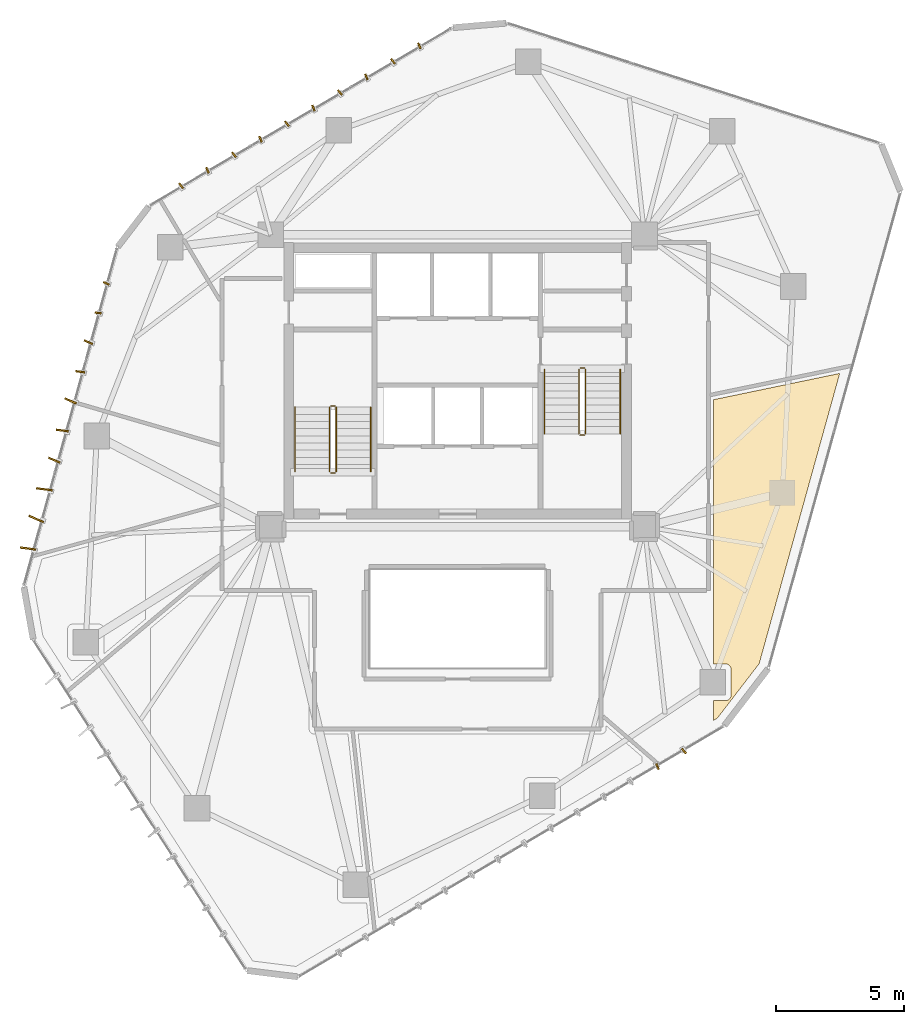
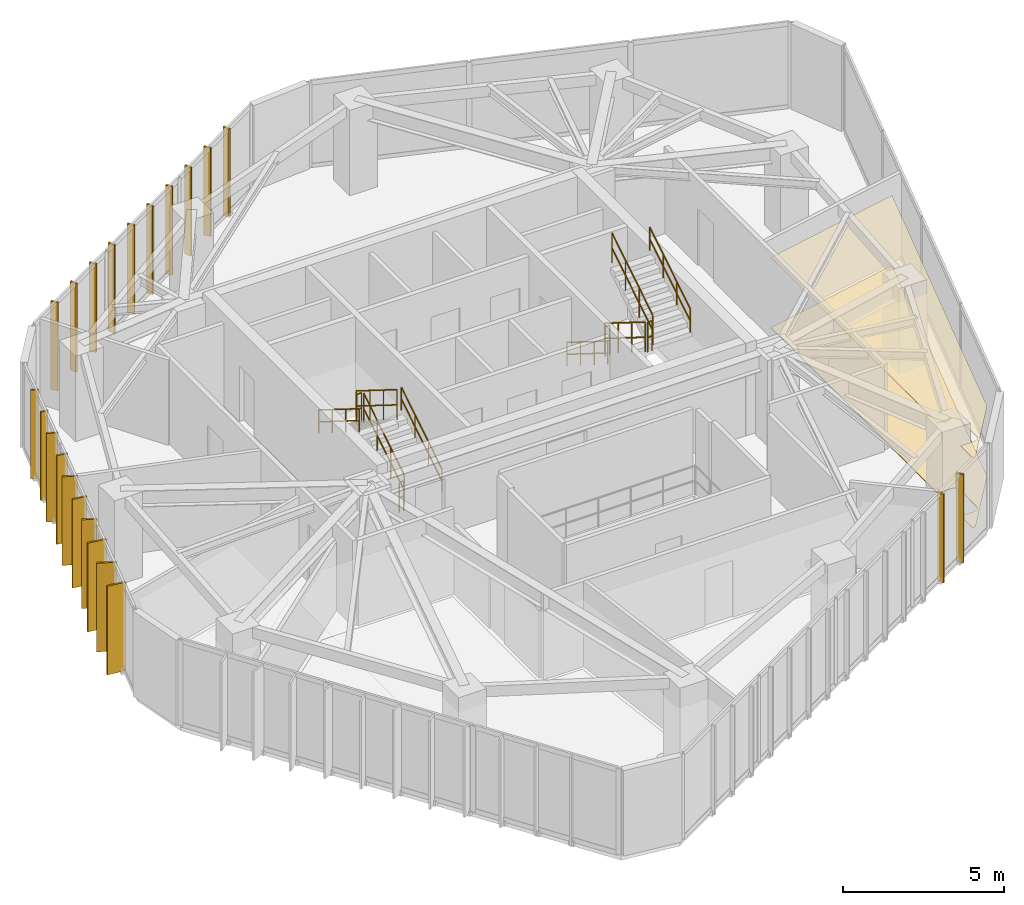
# One storey, part 19 of 19: 22 shading devices, 12 railings, 2 coverings.
"""IFC4 building model written with IfcOpenShell, lengths in metres."""

from ifc_helpers import new_model, si_unit, direction, frame, origin, origin_2d, place, context, subcontext, project, spatial, polyline, rectangle, circle, outline, extrude, source, transform, mapped, material, layer, layer_set, type_object, type_shapes, element, save


model = new_model("IFC4")

# Units and contexts
model_context = context("Model", 3, precision=1e-05, world=origin(), true_north=direction((0.0, 1.0)))
body_context = subcontext(model_context, "Body", "Model", "MODEL_VIEW")
ifc_project = project(units=[si_unit("LENGTHUNIT", "METRE"), si_unit("AREAUNIT", "SQUARE_METRE"), si_unit("VOLUMEUNIT", "CUBIC_METRE"), si_unit("PLANEANGLEUNIT", "RADIAN"), si_unit("MASSUNIT", "GRAM", prefix="KILO")], contexts=[model_context])

# Site, building, storey
site_placement = place(None, origin())
site = spatial("IfcSite", under=ifc_project, at=site_placement, CompositionType="ELEMENT")
building_placement = place(site_placement, origin())
building = spatial("IfcBuilding", under=site, at=building_placement, Name="Talar Marvaseh", CompositionType="ELEMENT")
storey_placement = place(building_placement, frame((0.0, 0.0, 181.0)))
storey = spatial("IfcBuildingStorey", under=building, at=storey_placement, Name="L47", CompositionType="ELEMENT", Elevation=181.0)

# Railings
ifc_material_1 = material(Name="Stainless Steel Grade 316", Category="steel")
railing_type_1 = type_object("IfcRailingType", Name="Brushed Stainless Wall Pitch Handrail 900", PredefinedType="HANDRAIL", material=ifc_material_1)
railing_1_placement = place(storey_placement, frame((22.610107421875, 27.64990234375, 0.175048828125)))
element("IfcRailing", 1, at=railing_1_placement, inside=storey, type_object=railing_type_1, Name="L47 ST-1 stair handrail 1", PredefinedType="HANDRAIL", context=body_context, shape_type="SweptSolid", body=[
    extrude(circle(Radius=0.02392578125, at=origin_2d()), frame((0.0, 0.0, 0.8759765625), z_axis=(0.0, 0.848007534815, 0.529984170421), x_axis=(-1.0, 0.0, 0.0)), (0.0, 0.0, 1.0), 2.9716796875),
    extrude(circle(Radius=0.02392578125, at=origin_2d()), frame((0.0, 0.0, 0.42578125), z_axis=(0.0, 0.848007534815, 0.529984170421), x_axis=(-1.0, 0.0, 0.0)), (0.0, 0.0, 1.0), 2.9716796875),
    extrude(circle(Radius=0.02099609375, at=origin_2d()), origin(), (0.0, 0.0, 1.0), 0.851806640625),
    extrude(circle(Radius=0.02099609375, at=origin_2d()), frame((0.0, 0.840087890625, 0.52490234375)), (0.0, 0.0, 1.0), 0.851806640625),
    extrude(circle(Radius=0.02099609375, at=origin_2d()), frame((0.0, 1.679931640625, 1.050048828125)), (0.0, 0.0, 1.0), 0.851806640625),
    extrude(circle(Radius=0.02099609375, at=origin_2d()), frame((0.0, 2.52001953125, 1.574951171875)), (0.0, 0.0, 1.0), 0.851806640625),
])
for number, where, name in (
    (2, (19.64990234375, 30.169921875, 1.925048828125), "L47 ST-1 stair handrail 2"),
    (3, (29.389892578125, 31.64990234375, 0.175048828125), "L47 ST-2 stair handrail 1"),
):
    element("IfcRailing", number, at=place(storey_placement, frame(where)), inside=storey, type_object=railing_type_1, Name=name, PredefinedType="HANDRAIL", context=body_context, shape_type="SweptSolid", body=[
        extrude(circle(Radius=0.02392578125, at=origin_2d()), frame((0.0, 0.0, 0.8759765625), z_axis=(0.0, -0.848007534815, 0.529984170421), x_axis=(1.0, 0.0, 0.0)), (0.0, 0.0, 1.0), 2.9716796875),
        extrude(circle(Radius=0.02392578125, at=origin_2d()), frame((0.0, 0.0, 0.42578125), z_axis=(0.0, -0.848007534815, 0.529984170421), x_axis=(1.0, 0.0, 0.0)), (0.0, 0.0, 1.0), 2.9716796875),
        extrude(circle(Radius=0.02099609375, at=origin_2d()), origin(), (0.0, 0.0, 1.0), 0.851806640625),
        extrude(circle(Radius=0.02099609375, at=origin_2d()), frame((0.0, -0.840087890625, 0.52490234375)), (0.0, 0.0, 1.0), 0.851806640625),
        extrude(circle(Radius=0.02099609375, at=origin_2d()), frame((0.0, -1.679931640625, 1.050048828125)), (0.0, 0.0, 1.0), 0.851806640625),
        extrude(circle(Radius=0.02099609375, at=origin_2d()), frame((0.0, -2.52001953125, 1.574951171875)), (0.0, 0.0, 1.0), 0.851806640625),
    ])
railing_2_placement = place(storey_placement, frame((32.35009765625, 29.1298828125, 1.925048828125)))
element("IfcRailing", 4, at=railing_2_placement, inside=storey, type_object=railing_type_1, Name="L47 ST-2 stair handrail 2", PredefinedType="HANDRAIL", context=body_context, shape_type="SweptSolid", body=[
    extrude(circle(Radius=0.02392578125, at=origin_2d()), frame((0.0, 0.0, 0.8759765625), z_axis=(0.0, 0.848007534815, 0.529984170421), x_axis=(-1.0, 0.0, 0.0)), (0.0, 0.0, 1.0), 2.9716796875),
    extrude(circle(Radius=0.02392578125, at=origin_2d()), frame((0.0, 0.0, 0.42578125), z_axis=(0.0, 0.848007534815, 0.529984170421), x_axis=(-1.0, 0.0, 0.0)), (0.0, 0.0, 1.0), 2.9716796875),
    extrude(circle(Radius=0.02099609375, at=origin_2d()), origin(), (0.0, 0.0, 1.0), 0.851806640625),
    extrude(circle(Radius=0.02099609375, at=origin_2d()), frame((0.0, 0.840087890625, 0.52490234375)), (0.0, 0.0, 1.0), 0.851806640625),
    extrude(circle(Radius=0.02099609375, at=origin_2d()), frame((0.0, 1.679931640625, 1.050048828125)), (0.0, 0.0, 1.0), 0.851806640625),
    extrude(circle(Radius=0.02099609375, at=origin_2d()), frame((0.0, 2.52001953125, 1.574951171875)), (0.0, 0.0, 1.0), 0.851806640625),
])
railing_type_2 = type_object("IfcRailingType", Name="Painted Steel Core Stair Well Guardrail 1150", PredefinedType="GUARDRAIL", material=ifc_material_1)
railing_3_placement = place(storey_placement, frame((21.260009765625, 27.64990234375, 0.175048828125)))
element("IfcRailing", 5, at=railing_3_placement, inside=storey, type_object=railing_type_2, Name="L47 ST-1 stair guard 1", PredefinedType="GUARDRAIL", context=body_context, shape_type="SweptSolid", body=[
    extrude(circle(Radius=0.02392578125, at=origin_2d()), frame((0.0, 0.0, 1.1259765625), z_axis=(0.0, 0.848007534815, 0.529984170421), x_axis=(-1.0, 0.0, 0.0)), (0.0, 0.0, 1.0), 2.9716796875),
    extrude(circle(Radius=0.02392578125, at=origin_2d()), frame((0.0, 0.0, 0.55078125), z_axis=(0.0, 0.848007534815, 0.529984170421), x_axis=(-1.0, 0.0, 0.0)), (0.0, 0.0, 1.0), 2.9716796875),
    extrude(circle(Radius=0.02099609375, at=origin_2d()), origin(), (0.0, 0.0, 1.0), 1.101806640625),
    extrude(circle(Radius=0.02099609375, at=origin_2d()), frame((0.0, 0.840087890625, 0.52490234375)), (0.0, 0.0, 1.0), 1.101806640625),
    extrude(circle(Radius=0.02099609375, at=origin_2d()), frame((0.0, 1.679931640625, 1.050048828125)), (0.0, 0.0, 1.0), 1.101806640625),
    extrude(circle(Radius=0.02099609375, at=origin_2d()), frame((0.0, 2.52001953125, 1.574951171875)), (0.0, 0.0, 1.0), 1.101806640625),
])
railing_4_placement = place(storey_placement, frame((21.2099609375, 30.219970703125, 1.75)))
element("IfcRailing", 6, at=railing_4_placement, inside=storey, type_object=railing_type_2, Name="L47 ST-1 stair guard 2", PredefinedType="GUARDRAIL", context=body_context, shape_type="SweptSolid", body=[
    extrude(circle(Radius=0.02392578125, at=origin_2d()), frame((0.0, 0.0, 1.1259765625), z_axis=(-1.0, 0.0, 0.0), x_axis=(0.0, -1.0, 0.0)), (0.0, 0.0, 1.0), 0.159912109375),
    extrude(circle(Radius=0.02392578125, at=origin_2d()), frame((0.0, 0.0, 0.55078125), z_axis=(-1.0, 0.0, 0.0), x_axis=(0.0, -1.0, 0.0)), (0.0, 0.0, 1.0), 0.159912109375),
    extrude(circle(Radius=0.02099609375, at=origin_2d()), origin(), (0.0, 0.0, 1.0), 1.101806640625),
    extrude(circle(Radius=0.02099609375, at=origin_2d()), frame((-0.159912109375, 0.0, 0.0)), (0.0, 0.0, 1.0), 1.101806640625),
])
railing_5_placement = place(storey_placement, frame((21.0, 30.169921875, 1.925048828125)))
element("IfcRailing", 7, at=railing_5_placement, inside=storey, type_object=railing_type_2, Name="L47 ST-1 stair guard 3", PredefinedType="GUARDRAIL", context=body_context, shape_type="SweptSolid", body=[
    extrude(circle(Radius=0.02392578125, at=origin_2d()), frame((0.0, 0.0, 1.1259765625), z_axis=(0.0, -0.848007534815, 0.529984170421), x_axis=(1.0, 0.0, 0.0)), (0.0, 0.0, 1.0), 2.9716796875),
    extrude(circle(Radius=0.02392578125, at=origin_2d()), frame((0.0, 0.0, 0.55078125), z_axis=(0.0, -0.848007534815, 0.529984170421), x_axis=(1.0, 0.0, 0.0)), (0.0, 0.0, 1.0), 2.9716796875),
    extrude(circle(Radius=0.02099609375, at=origin_2d()), origin(), (0.0, 0.0, 1.0), 1.101806640625),
    extrude(circle(Radius=0.02099609375, at=origin_2d()), frame((0.0, -0.840087890625, 0.52490234375)), (0.0, 0.0, 1.0), 1.101806640625),
    extrude(circle(Radius=0.02099609375, at=origin_2d()), frame((0.0, -1.679931640625, 1.050048828125)), (0.0, 0.0, 1.0), 1.101806640625),
    extrude(circle(Radius=0.02099609375, at=origin_2d()), frame((0.0, -2.52001953125, 1.574951171875)), (0.0, 0.0, 1.0), 1.101806640625),
])
railing_6_placement = place(storey_placement, frame((21.2099609375, 27.60009765625, 0.0)))
element("IfcRailing", 8, at=railing_6_placement, inside=storey, type_object=railing_type_2, Name="L47 ST-1 stair guard 4", PredefinedType="GUARDRAIL", context=body_context, shape_type="SweptSolid", body=[
    extrude(circle(Radius=0.02392578125, at=origin_2d()), frame((0.0, 0.0, 1.1259765625), z_axis=(-1.0, 0.0, 0.0), x_axis=(0.0, -1.0, 0.0)), (0.0, 0.0, 1.0), 0.159912109375),
    extrude(circle(Radius=0.02392578125, at=origin_2d()), frame((0.0, 0.0, 0.55078125), z_axis=(-1.0, 0.0, 0.0), x_axis=(0.0, -1.0, 0.0)), (0.0, 0.0, 1.0), 0.159912109375),
    extrude(circle(Radius=0.02099609375, at=origin_2d()), origin(), (0.0, 0.0, 1.0), 1.101806640625),
    extrude(circle(Radius=0.02099609375, at=origin_2d()), frame((-0.159912109375, 0.0, 0.0)), (0.0, 0.0, 1.0), 1.101806640625),
])
railing_7_placement = place(storey_placement, frame((30.739990234375, 31.64990234375, 0.175048828125)))
element("IfcRailing", 9, at=railing_7_placement, inside=storey, type_object=railing_type_2, Name="L47 ST-2 stair guard 1", PredefinedType="GUARDRAIL", context=body_context, shape_type="SweptSolid", body=[
    extrude(circle(Radius=0.02392578125, at=origin_2d()), frame((0.0, 0.0, 1.1259765625), z_axis=(0.0, -0.848007534815, 0.529984170421), x_axis=(1.0, 0.0, 0.0)), (0.0, 0.0, 1.0), 2.9716796875),
    extrude(circle(Radius=0.02392578125, at=origin_2d()), frame((0.0, 0.0, 0.55078125), z_axis=(0.0, -0.848007534815, 0.529984170421), x_axis=(1.0, 0.0, 0.0)), (0.0, 0.0, 1.0), 2.9716796875),
    extrude(circle(Radius=0.02099609375, at=origin_2d()), origin(), (0.0, 0.0, 1.0), 1.101806640625),
    extrude(circle(Radius=0.02099609375, at=origin_2d()), frame((0.0, -0.840087890625, 0.52490234375)), (0.0, 0.0, 1.0), 1.101806640625),
    extrude(circle(Radius=0.02099609375, at=origin_2d()), frame((0.0, -1.679931640625, 1.050048828125)), (0.0, 0.0, 1.0), 1.101806640625),
    extrude(circle(Radius=0.02099609375, at=origin_2d()), frame((0.0, -2.52001953125, 1.574951171875)), (0.0, 0.0, 1.0), 1.101806640625),
])
railing_8_placement = place(storey_placement, frame((30.7900390625, 29.080078125, 1.75)))
element("IfcRailing", 10, at=railing_8_placement, inside=storey, type_object=railing_type_2, Name="L47 ST-2 stair guard 2", PredefinedType="GUARDRAIL", context=body_context, shape_type="SweptSolid", body=[
    extrude(circle(Radius=0.02392578125, at=origin_2d()), frame((0.0, 0.0, 1.1259765625), z_axis=(1.0, 0.0, 0.0), x_axis=(0.0, 1.0, 0.0)), (0.0, 0.0, 1.0), 0.159912109375),
    extrude(circle(Radius=0.02392578125, at=origin_2d()), frame((0.0, 0.0, 0.55078125), z_axis=(1.0, 0.0, 0.0), x_axis=(0.0, 1.0, 0.0)), (0.0, 0.0, 1.0), 0.159912109375),
    extrude(circle(Radius=0.02099609375, at=origin_2d()), origin(), (0.0, 0.0, 1.0), 1.101806640625),
    extrude(circle(Radius=0.02099609375, at=origin_2d()), frame((0.159912109375, 0.0, 0.0)), (0.0, 0.0, 1.0), 1.101806640625),
])
railing_9_placement = place(storey_placement, frame((31.0, 29.1298828125, 1.925048828125)))
element("IfcRailing", 11, at=railing_9_placement, inside=storey, type_object=railing_type_2, Name="L47 ST-2 stair guard 3", PredefinedType="GUARDRAIL", context=body_context, shape_type="SweptSolid", body=[
    extrude(circle(Radius=0.02392578125, at=origin_2d()), frame((0.0, 0.0, 1.1259765625), z_axis=(0.0, 0.848007534815, 0.529984170421), x_axis=(-1.0, 0.0, 0.0)), (0.0, 0.0, 1.0), 2.9716796875),
    extrude(circle(Radius=0.02392578125, at=origin_2d()), frame((0.0, 0.0, 0.55078125), z_axis=(0.0, 0.848007534815, 0.529984170421), x_axis=(-1.0, 0.0, 0.0)), (0.0, 0.0, 1.0), 2.9716796875),
    extrude(circle(Radius=0.02099609375, at=origin_2d()), origin(), (0.0, 0.0, 1.0), 1.101806640625),
    extrude(circle(Radius=0.02099609375, at=origin_2d()), frame((0.0, 0.840087890625, 0.52490234375)), (0.0, 0.0, 1.0), 1.101806640625),
    extrude(circle(Radius=0.02099609375, at=origin_2d()), frame((0.0, 1.679931640625, 1.050048828125)), (0.0, 0.0, 1.0), 1.101806640625),
    extrude(circle(Radius=0.02099609375, at=origin_2d()), frame((0.0, 2.52001953125, 1.574951171875)), (0.0, 0.0, 1.0), 1.101806640625),
])
railing_10_placement = place(storey_placement, frame((30.7900390625, 31.699951171875, 0.0)))
element("IfcRailing", 12, at=railing_10_placement, inside=storey, type_object=railing_type_2, Name="L47 ST-2 stair guard 4", PredefinedType="GUARDRAIL", context=body_context, shape_type="SweptSolid", body=[
    extrude(circle(Radius=0.02392578125, at=origin_2d()), frame((0.0, 0.0, 1.1259765625), z_axis=(1.0, 0.0, 0.0), x_axis=(0.0, 1.0, 0.0)), (0.0, 0.0, 1.0), 0.159912109375),
    extrude(circle(Radius=0.02392578125, at=origin_2d()), frame((0.0, 0.0, 0.55078125), z_axis=(1.0, 0.0, 0.0), x_axis=(0.0, 1.0, 0.0)), (0.0, 0.0, 1.0), 0.159912109375),
    extrude(circle(Radius=0.02099609375, at=origin_2d()), origin(), (0.0, 0.0, 1.0), 1.101806640625),
    extrude(circle(Radius=0.02099609375, at=origin_2d()), frame((0.159912109375, 0.0, 0.0)), (0.0, 0.0, 1.0), 1.101806640625),
])

# Coverings
ifc_material_2 = material(Name="Mineral Fibre Acoustic Ceiling")
ifc_layer_1 = layer(ifc_material_2, 0.02490234375)
ifc_layer_set_1 = layer_set([ifc_layer_1], Name="Mineral Fibre Acoustic Ceiling")
covering_type_1 = type_object("IfcCoveringType", Name="Perforated Mineral Fibre Acoustic Suspended Ceiling", PredefinedType="CEILING", material=ifc_layer_set_1)
covering_1_placement = place(storey_placement, frame((0.0, 0.0, 2.64990234375)))
element("IfcCovering", 13, at=covering_1_placement, inside=storey, type_object=covering_type_1, Name="L47 Collection Conservation Store Acoustic Ceiling", PredefinedType="CEILING", context=body_context, shape_type="SweptSolid", body=[
    extrude(outline(polyline([(36.0, 18.71240234375), (36.481689453125, 18.71240234375), (36.501220703125, 18.71337890625), (36.5205078125, 18.71630859375), (36.53955078125, 18.720947265625), (36.557861328125, 18.7275390625), (36.57568359375, 18.73583984375), (36.59228515625, 18.745849609375), (36.608154296875, 18.757568359375), (36.622802734375, 18.770751953125), (36.635986328125, 18.78515625), (36.647705078125, 18.80078125), (36.65771484375, 18.817626953125), (36.666015625, 18.835205078125), (36.6728515625, 18.853759765625), (36.677490234375, 18.872802734375), (36.6806640625, 18.89208984375), (36.681640625, 18.91162109375), (36.685791015625, 19.923583984375), (36.68505859375, 19.9423828125), (36.6826171875, 19.960693359375), (36.678466796875, 19.97900390625), (36.672607421875, 19.99658203125), (36.664794921875, 20.013671875), (36.656005859375, 20.02978515625), (36.645263671875, 20.04541015625), (36.63330078125, 20.0595703125), (36.6201171875, 20.07275390625), (36.605224609375, 20.086181640625), (36.591064453125, 20.097900390625), (36.57568359375, 20.1083984375), (36.5595703125, 20.1171875), (36.54248046875, 20.124755859375), (36.52490234375, 20.130615234375), (36.507080078125, 20.134765625), (36.488525390625, 20.13720703125), (36.47021484375, 20.137939453125), (36.0, 20.135986328125), (36.0, 23.0), (36.0, 30.462646484375), (40.927490234375, 31.489501953125), (37.78125, 20.15087890625), (36.147705078125, 18.0224609375), (36.0, 17.935302734375), (36.0, 18.71240234375)])), origin(), (0.0, 0.0, 1.0), 0.025146484375),
])
ifc_material_3 = material(Name="Porcelain Stoneware Tile", Category="masonry")
ifc_layer_2 = layer(ifc_material_3, 0.02001953125)
ifc_layer_set_2 = layer_set([ifc_layer_2], Name="Porcelain Stoneware Tile")
covering_type_2 = type_object("IfcCoveringType", Name="Polished Porcelain Stoneware Gallery Flooring", PredefinedType="FLOORING", material=ifc_layer_set_2)
covering_2_placement = place(storey_placement, origin())
element("IfcCovering", 14, at=covering_2_placement, inside=storey, type_object=covering_type_2, Name="L47 Collection Conservation Store Flooring", PredefinedType="FLOORING", context=body_context, shape_type="SweptSolid", body=[
    extrude(outline(polyline([(36.0, 18.71240234375), (36.481689453125, 18.71240234375), (36.501220703125, 18.71337890625), (36.5205078125, 18.71630859375), (36.53955078125, 18.720947265625), (36.557861328125, 18.7275390625), (36.57568359375, 18.73583984375), (36.59228515625, 18.745849609375), (36.608154296875, 18.757568359375), (36.622802734375, 18.770751953125), (36.635986328125, 18.78515625), (36.647705078125, 18.80078125), (36.65771484375, 18.817626953125), (36.666015625, 18.835205078125), (36.6728515625, 18.853759765625), (36.677490234375, 18.872802734375), (36.6806640625, 18.89208984375), (36.681640625, 18.91162109375), (36.685791015625, 19.923583984375), (36.68505859375, 19.9423828125), (36.6826171875, 19.960693359375), (36.678466796875, 19.97900390625), (36.672607421875, 19.99658203125), (36.664794921875, 20.013671875), (36.656005859375, 20.02978515625), (36.645263671875, 20.04541015625), (36.63330078125, 20.0595703125), (36.6201171875, 20.07275390625), (36.605224609375, 20.086181640625), (36.591064453125, 20.097900390625), (36.57568359375, 20.1083984375), (36.5595703125, 20.1171875), (36.54248046875, 20.124755859375), (36.52490234375, 20.130615234375), (36.507080078125, 20.134765625), (36.488525390625, 20.13720703125), (36.47021484375, 20.137939453125), (36.0, 20.135986328125), (36.0, 23.0), (36.0, 30.462646484375), (40.927490234375, 31.489501953125), (37.78125, 20.15087890625), (36.147705078125, 18.0224609375), (36.0, 17.935302734375), (36.0, 18.71240234375)])), origin(), (0.0, 0.0, 1.0), 0.02001953125),
])

# Shading devices
ifc_material_4 = material(Name="Anodised Champagne Bronze Aluminium", Category="aluminium")
ifc_layer_3 = layer(ifc_material_4, 0.06494140625)
ifc_layer_set_3 = layer_set([ifc_layer_3], Name="Anodised Champagne Bronze Aluminium")
shading_device_type_1 = type_object("IfcShadingDeviceType", Name="Sawtooth Champagne Bronze Vertical Fin 240", PredefinedType="USERDEFINED", material=ifc_layer_set_3)
shared_shape_1 = source(origin(), body_context, "Body", "SweptSolid", [
    extrude(rectangle(XDim=0.239990234375, YDim=0.06494140625, at=origin_2d()), origin(), (0.0, 0.0, 1.0), 3.35009765625),
])
type_shapes(shading_device_type_1, [shared_shape_1])
for number, where, z_axis, x_axis, name in (
    (15, (11.953369140625, 33.85205078125, -0.1201171875), (0.0, 0.0, 1.0), (-0.991603589233, 0.129314816705, 0.0), "L47 Sawtooth Vertical Solar Fin"),
    (16, (12.272705078125, 35.0087890625, -0.1201171875), (0.0, 0.0, 1.0), (-0.91754655374, 0.397628371371, 0.0), "L47 Sawtooth Vertical Solar Fin"),
    (17, (15.194091796875, 38.816162109375, -0.1201171875), (0.0, 0.0, 1.0), (-0.621558036049, 0.783368117696, 0.0), "L47 Sawtooth Vertical Solar Fin"),
    (18, (16.228759765625, 39.423828125, -0.1201171875), (0.0, 0.0, 1.0), (-0.381554415263, 0.924346378904, 0.0), "L47 Sawtooth Vertical Solar Fin"),
    (19, (17.263427734375, 40.03173828125, -0.1201171875), (0.0, 0.0, 1.0), (-0.621558036049, 0.783368117696, 0.0), "L47 Sawtooth Vertical Solar Fin"),
    (20, (18.298095703125, 40.6396484375, -0.1201171875), (0.0, 0.0, 1.0), (-0.381554415263, 0.924346378904, 0.0), "L47 Sawtooth Vertical Solar Fin"),
    (21, (19.332763671875, 41.247314453125, -0.1201171875), (0.0, 0.0, 1.0), (-0.621558036049, 0.783368117696, 0.0), "L47 Sawtooth Vertical Solar Fin"),
    (22, (20.367431640625, 41.855224609375, -0.1201171875), (0.0, 0.0, 1.0), (-0.381554415263, 0.924346378904, 0.0), "L47 Sawtooth Vertical Solar Fin"),
    (23, (21.402099609375, 42.462890625, -0.1201171875), (0.0, 0.0, 1.0), (-0.621558036049, 0.783368117696, 0.0), "L47 Sawtooth Vertical Solar Fin"),
    (24, (22.43701171875, 43.07080078125, -0.1201171875), (0.0, 0.0, 1.0), (-0.381554415263, 0.924346378904, 0.0), "L47 Sawtooth Vertical Solar Fin"),
    (25, (23.471435546875, 43.6787109375, -0.1201171875), (0.0, 0.0, 1.0), (-0.621558036049, 0.783368117696, 0.0), "L47 Sawtooth Vertical Solar Fin"),
    (26, (24.506103515625, 44.28662109375, -0.1201171875), (0.0, 0.0, 1.0), (-0.381554415263, 0.924346378904, 0.0), "L47 Sawtooth Vertical Solar Fin"),
    (27, (34.841796875, 16.736328125, -0.1201171875), (0.0, 0.0, 1.0), (0.622651218046, -0.782499495633, 0.0), "L47 Sawtooth Vertical Solar Fin"),
    (28, (33.80810546875, 16.127197265625, -0.1201171875), (0.0, 0.0, 1.0), (0.382844673933, -0.923812727581, 0.0), "L47 Sawtooth Vertical Solar Fin"),
):
    element("IfcShadingDevice", number, at=place(storey_placement, frame(where, z_axis=z_axis, x_axis=x_axis)), inside=storey, type_object=shading_device_type_1, Name=name, ObjectType="FIN", PredefinedType="USERDEFINED", context=body_context, shape_type="MappedRepresentation", body=[
        mapped(shared_shape_1, transform((0.0, 0.0, 0.0), x_axis=(1.0, 0.0, 0.0), y_axis=(0.0, 1.0, 0.0), z_axis=(0.0, 0.0, 1.0), scale=1.0)),
    ])
ifc_layer_4 = layer(ifc_material_4, 0.06494140625)
ifc_layer_set_4 = layer_set([ifc_layer_4], Name="Anodised Champagne Bronze Aluminium")
shading_device_type_2 = type_object("IfcShadingDeviceType", Name="Sawtooth Champagne Bronze Vertical Fin 360", PredefinedType="USERDEFINED", material=ifc_layer_set_4)
shared_shape_2 = source(origin(), body_context, "Body", "SweptSolid", [
    extrude(rectangle(XDim=0.360107421875, YDim=0.06494140625, at=origin_2d()), origin(), (0.0, 0.0, 1.0), 3.35009765625),
])
type_shapes(shading_device_type_2, [shared_shape_2])
for number, where, z_axis, x_axis, name in (
    (29, (11.2568359375, 31.5546875, -0.1201171875), (0.0, 0.0, 1.0), (-0.991603589233, 0.129314816705, 0.0), "L47 Sawtooth Vertical Solar Fin"),
    (30, (11.576171875, 32.711181640625, -0.1201171875), (0.0, 0.0, 1.0), (-0.91754655374, 0.397628371371, 0.0), "L47 Sawtooth Vertical Solar Fin"),
):
    element("IfcShadingDevice", number, at=place(storey_placement, frame(where, z_axis=z_axis, x_axis=x_axis)), inside=storey, type_object=shading_device_type_2, Name=name, ObjectType="FIN", PredefinedType="USERDEFINED", context=body_context, shape_type="MappedRepresentation", body=[
        mapped(shared_shape_2, transform((0.0, 0.0, 0.0), x_axis=(1.0, 0.0, 0.0), y_axis=(0.0, 1.0, 0.0), z_axis=(0.0, 0.0, 1.0), scale=1.0)),
    ])
ifc_layer_5 = layer(ifc_material_4, 0.06494140625)
ifc_layer_set_5 = layer_set([ifc_layer_5], Name="Anodised Champagne Bronze Aluminium")
shading_device_type_3 = type_object("IfcShadingDeviceType", Name="Sawtooth Champagne Bronze Vertical Fin 480", PredefinedType="USERDEFINED", material=ifc_layer_set_5)
shared_shape_3 = source(origin(), body_context, "Body", "SweptSolid", [
    extrude(rectangle(XDim=0.47998046875, YDim=0.06494140625, at=origin_2d()), origin(), (0.0, 0.0, 1.0), 3.35009765625),
])
type_shapes(shading_device_type_3, [shared_shape_3])
for number, where, z_axis, x_axis, name in (
    (31, (10.2412109375, 28.100341796875, -0.1201171875), (0.0, 0.0, 1.0), (-0.91754655374, 0.397628371371, 0.0), "L47 Sawtooth Vertical Solar Fin"),
    (32, (10.560546875, 29.257080078125, -0.1201171875), (0.0, 0.0, 1.0), (-0.991603589233, 0.129314816705, 0.0), "L47 Sawtooth Vertical Solar Fin"),
    (33, (10.8798828125, 30.413818359375, -0.1201171875), (0.0, 0.0, 1.0), (-0.91754655374, 0.397628371371, 0.0), "L47 Sawtooth Vertical Solar Fin"),
):
    element("IfcShadingDevice", number, at=place(storey_placement, frame(where, z_axis=z_axis, x_axis=x_axis)), inside=storey, type_object=shading_device_type_3, Name=name, ObjectType="FIN", PredefinedType="USERDEFINED", context=body_context, shape_type="MappedRepresentation", body=[
        mapped(shared_shape_3, transform((0.0, 0.0, 0.0), x_axis=(1.0, 0.0, 0.0), y_axis=(0.0, 1.0, 0.0), z_axis=(0.0, 0.0, 1.0), scale=1.0)),
    ])
ifc_layer_6 = layer(ifc_material_4, 0.06494140625)
ifc_layer_set_6 = layer_set([ifc_layer_6], Name="Anodised Champagne Bronze Aluminium")
shading_device_type_4 = type_object("IfcShadingDeviceType", Name="Sawtooth Champagne Bronze Vertical Fin 620", PredefinedType="USERDEFINED", material=ifc_layer_set_6)
shared_shape_4 = source(origin(), body_context, "Body", "SweptSolid", [
    extrude(rectangle(XDim=0.6201171875, YDim=0.06494140625, at=origin_2d()), origin(), (0.0, 0.0, 1.0), 3.35009765625),
])
type_shapes(shading_device_type_4, [shared_shape_4])
for number, where, z_axis, x_axis, name in (
    (34, (9.2158203125, 24.648681640625, -0.1201171875), (0.0, 0.0, 1.0), (-0.991603589233, 0.129314816705, 0.0), "L47 Sawtooth Vertical Solar Fin"),
    (35, (9.534912109375, 25.805419921875, -0.1201171875), (0.0, 0.0, 1.0), (-0.91754655374, 0.397628371371, 0.0), "L47 Sawtooth Vertical Solar Fin"),
    (36, (9.854248046875, 26.96240234375, -0.1201171875), (0.0, 0.0, 1.0), (-0.991603589233, 0.129314816705, 0.0), "L47 Sawtooth Vertical Solar Fin"),
):
    element("IfcShadingDevice", number, at=place(storey_placement, frame(where, z_axis=z_axis, x_axis=x_axis)), inside=storey, type_object=shading_device_type_4, Name=name, ObjectType="FIN", PredefinedType="USERDEFINED", context=body_context, shape_type="MappedRepresentation", body=[
        mapped(shared_shape_4, transform((0.0, 0.0, 0.0), x_axis=(1.0, 0.0, 0.0), y_axis=(0.0, 1.0, 0.0), z_axis=(0.0, 0.0, 1.0), scale=1.0)),
    ])

save(model, "model.ifc")
